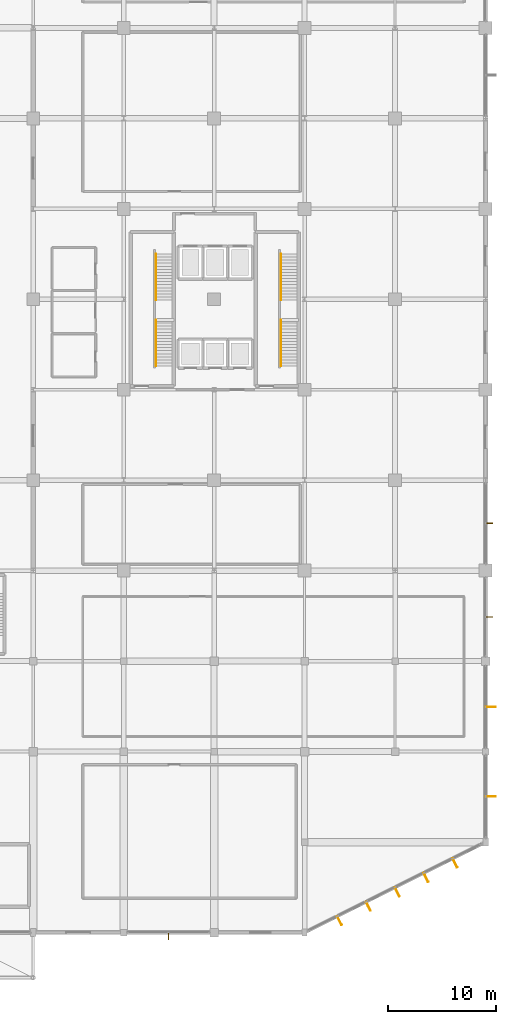
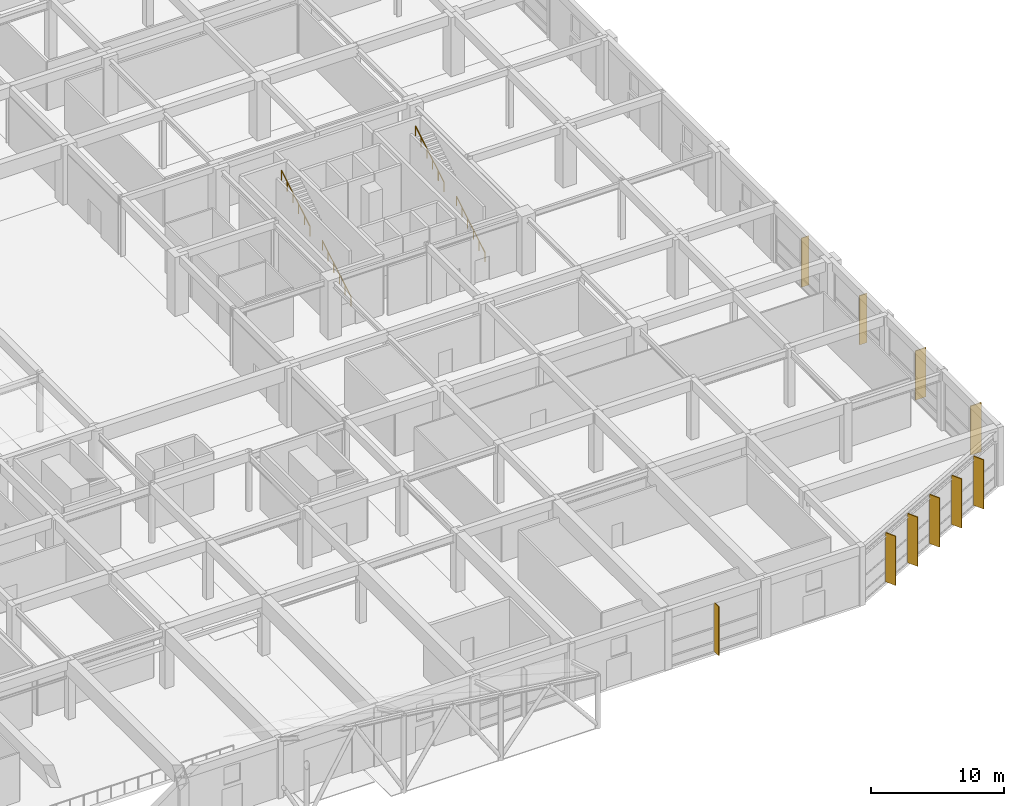
# One storey, part 60 of 62: 10 shading devices, 4 railings.
"""IFC4 building model written with IfcOpenShell, lengths in metres."""

from ifc_helpers import new_model, si_unit, direction, frame, origin, origin_2d, place, context, subcontext, project, spatial, rectangle, circle, extrude, material, type_object, element, save


model = new_model("IFC4")

# Units and contexts
model_context = context("Model", 3, precision=1e-05, world=origin(), true_north=direction((0.0, 1.0)))
body_context = subcontext(model_context, "Body", "Model", "MODEL_VIEW")
ifc_project = project(units=[si_unit("LENGTHUNIT", "METRE"), si_unit("AREAUNIT", "SQUARE_METRE"), si_unit("VOLUMEUNIT", "CUBIC_METRE"), si_unit("PLANEANGLEUNIT", "RADIAN"), si_unit("MASSUNIT", "GRAM", prefix="KILO")], contexts=[model_context])

# Site, building, storey
site_placement = place(None, origin())
site = spatial("IfcSite", under=ifc_project, at=site_placement, CompositionType="ELEMENT")
building_placement = place(site_placement, origin())
building = spatial("IfcBuilding", under=site, at=building_placement, Name="Xuanlan Plaza Opera House", CompositionType="ELEMENT")
storey_placement = place(building_placement, origin())
storey = spatial("IfcBuildingStorey", under=building, at=storey_placement, Name="L00", CompositionType="ELEMENT", Elevation=0.0)

# Shading devices
ifc_material_1 = material(Name="Anodised Aluminium 6063-T6", Category="aluminium")
shading_device_type_1 = type_object("IfcShadingDeviceType", Name="ENV-SHD-BRS01", PredefinedType="JALOUSIE", material=ifc_material_1)
for number, where, z_axis, x_axis, name in (
    (1, (138.550048828125, -0.324951171875, 0.0400390625), (0.0, 0.0, 1.0), (0.0, -1.0, 0.0), "Parametric Sunshade Fin L00-0005"),
    (2, (168.324951171875, 29.300048828125, 0.0400390625), (0.0, 0.0, 1.0), (1.0, 0.0, 0.0), "Parametric Sunshade Fin L00-0013"),
    (3, (168.324951171875, 37.99658203125, 0.0400390625), (0.0, 0.0, 1.0), (1.0, 0.0, 0.0), "Parametric Sunshade Fin L00-0014"),
):
    element("IfcShadingDevice", number, at=place(storey_placement, frame(where, z_axis=z_axis, x_axis=x_axis)), inside=storey, type_object=shading_device_type_1, Name=name, PredefinedType="JALOUSIE", context=body_context, shape_type="SweptSolid", body=[
        extrude(rectangle(XDim=0.639892578125, YDim=0.070068359375, at=origin_2d()), origin(), (0.0, 0.0, 1.0), 4.5),
    ])
shading_device_type_2 = type_object("IfcShadingDeviceType", Name="ENV-SHD-BRS02", PredefinedType="JALOUSIE", material=ifc_material_1)
for number, where, z_axis, x_axis, name in (
    (4, (154.437255859375, 1.0986328125, 0.0400390625), (0.0, 0.0, 1.0), (0.447290848419, -0.89438856037, 0.0), "Parametric Sunshade Fin L00-0006"),
    (5, (157.116455078125, 2.438232421875, 0.0400390625), (0.0, 0.0, 1.0), (0.447290848419, -0.89438856037, 0.0), "Parametric Sunshade Fin L00-0007"),
    (6, (159.79541015625, 3.77783203125, 0.0400390625), (0.0, 0.0, 1.0), (0.447290848419, -0.89438856037, 0.0), "Parametric Sunshade Fin L00-0008"),
    (7, (162.474609375, 5.117431640625, 0.0400390625), (0.0, 0.0, 1.0), (0.447290848419, -0.89438856037, 0.0), "Parametric Sunshade Fin L00-0009"),
    (8, (165.15380859375, 6.456787109375, 0.0400390625), (0.0, 0.0, 1.0), (0.447290848419, -0.89438856037, 0.0), "Parametric Sunshade Fin L00-0010"),
    (9, (168.465087890625, 12.637451171875, 0.0400390625), (0.0, 0.0, 1.0), (1.0, 0.0, 0.0), "Parametric Sunshade Fin L00-0011"),
    (10, (168.465087890625, 20.949951171875, 0.0400390625), (0.0, 0.0, 1.0), (1.0, 0.0, 0.0), "Parametric Sunshade Fin L00-0012"),
):
    element("IfcShadingDevice", number, at=place(storey_placement, frame(where, z_axis=z_axis, x_axis=x_axis)), inside=storey, type_object=shading_device_type_2, Name=name, PredefinedType="JALOUSIE", context=body_context, shape_type="SweptSolid", body=[
        extrude(rectangle(XDim=0.919921875, YDim=0.080078125, at=origin_2d()), origin(), (0.0, 0.0, 1.0), 4.5),
    ])

# Railings
ifc_material_2 = material(Name="Stainless Steel S30408", Category="steel")
railing_type = type_object("IfcRailingType", Name="INT-RL-HR01", PredefinedType="HANDRAIL", material=ifc_material_2)
for number, where, name in (
    (11, (137.409912109375, 52.60009765625, 0.168701171875), "Stair Handrail ST-T1 L00 Flight 1"),
    (12, (137.409912109375, 58.72509765625, 2.86865234375), "Stair Handrail ST-T1 L00 Flight 2"),
    (13, (149.010009765625, 52.60009765625, 0.168701171875), "Stair Handrail ST-T2 L00 Flight 1"),
    (14, (149.010009765625, 58.72509765625, 2.86865234375), "Stair Handrail ST-T2 L00 Flight 2"),
):
    element("IfcRailing", number, at=place(storey_placement, frame(where)), inside=storey, type_object=railing_type, Name=name, PredefinedType="HANDRAIL", context=body_context, shape_type="SweptSolid", body=[
        extrude(circle(Radius=0.02392578125, at=origin_2d()), frame((0.0, 0.0, 0.8759765625), z_axis=(0.0, 0.860470286479, 0.509500624227), x_axis=(-1.0, 0.0, 0.0)), (0.0, 0.0, 1.0), 4.968017578125),
        extrude(circle(Radius=0.02099609375, at=origin_2d()), origin(), (0.0, 0.0, 1.0), 0.851806640625),
        extrude(circle(Radius=0.02099609375, at=origin_2d()), frame((0.0, 0.85498046875, 0.50634765625)), (0.0, 0.0, 1.0), 0.851806640625),
        extrude(circle(Radius=0.02099609375, at=origin_2d()), frame((0.0, 1.7099609375, 1.012451171875)), (0.0, 0.0, 1.0), 0.851806640625),
        extrude(circle(Radius=0.02099609375, at=origin_2d()), frame((0.0, 2.56494140625, 1.518798828125)), (0.0, 0.0, 1.0), 0.851806640625),
        extrude(circle(Radius=0.02099609375, at=origin_2d()), frame((0.0, 3.419921875, 2.02490234375)), (0.0, 0.0, 1.0), 0.851806640625),
        extrude(circle(Radius=0.02099609375, at=origin_2d()), frame((0.0, 4.27490234375, 2.53125)), (0.0, 0.0, 1.0), 0.851806640625),
    ])

save(model, "model.ifc")
